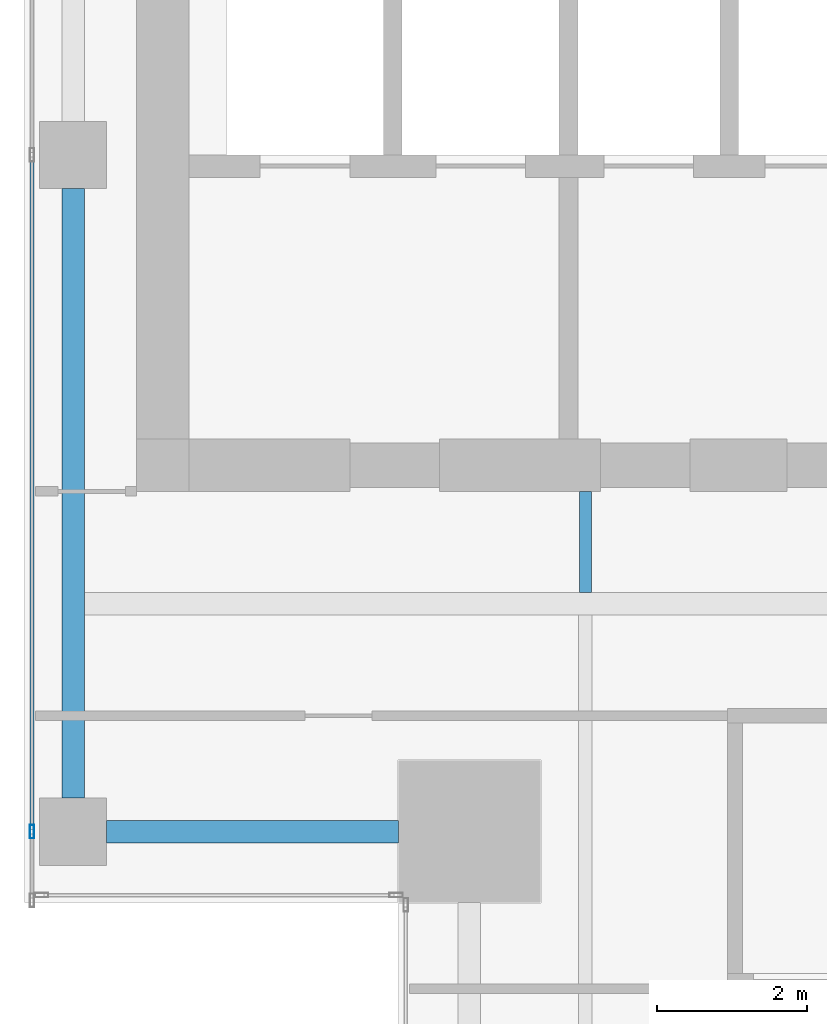
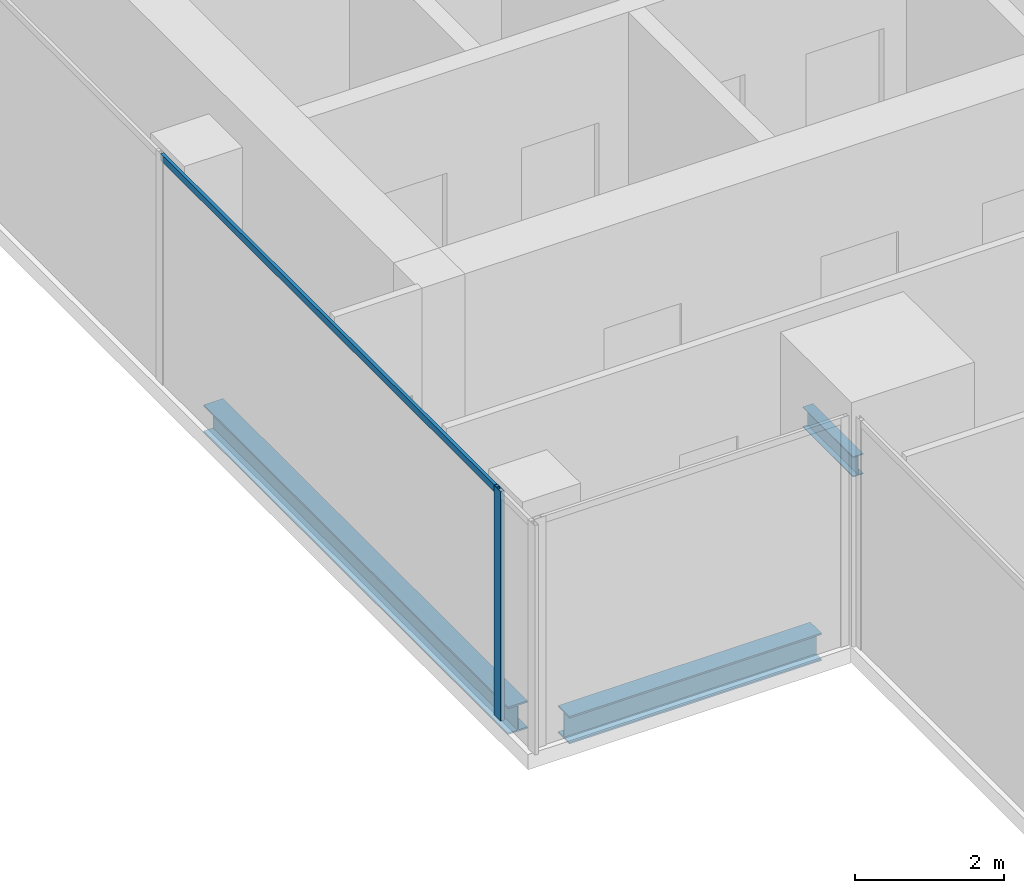
# One storey, part 4 of 36: 3 beams, 2 members, 1 element without a shape of its own.
"""IFC4 building model written with IfcOpenShell, lengths in metres."""

from ifc_helpers import new_model, si_unit, direction, frame, origin, origin_2d, place, context, subcontext, project, spatial, hollow_rectangle, i_section, extrude, source, transform, mapped, material, material_profile, profile_set, type_object, element, aggregate, save


model = new_model("IFC4")

# Units and contexts
model_context = context("Model", 3, precision=1e-05, world=origin(), true_north=direction((0.0, 1.0)))
body_context = subcontext(model_context, "Body", "Model", "MODEL_VIEW")
ifc_project = project(units=[si_unit("LENGTHUNIT", "METRE"), si_unit("AREAUNIT", "SQUARE_METRE"), si_unit("VOLUMEUNIT", "CUBIC_METRE"), si_unit("PLANEANGLEUNIT", "RADIAN"), si_unit("MASSUNIT", "GRAM", prefix="KILO")], contexts=[model_context])

# Site, building, storey
site_placement = place(None, origin())
site = spatial("IfcSite", under=ifc_project, at=site_placement, CompositionType="ELEMENT")
building_placement = place(site_placement, origin())
building = spatial("IfcBuilding", under=site, at=building_placement, Name="Khomas Fold Tower", CompositionType="ELEMENT")
storey_placement = place(building_placement, frame((0.0, 0.0, 238.199951171875)))
storey = spatial("IfcBuildingStorey", under=building, at=storey_placement, Name="L53", CompositionType="ELEMENT", Elevation=238.199951171875)

# Beams
ifc_material_1 = material(Name="Steel S355", Category="steel")
ifc_material_profile_1 = material_profile(ifc_material_1, i_section(OverallWidth=0.159912109375, OverallDepth=0.330078125, WebThickness=0.007568359375, FlangeThickness=0.011474609375, at=origin_2d()), Name="IPE 330")
ifc_profile_set_1 = profile_set([ifc_material_profile_1], Name="Steel S355")
beam_type_1 = type_object("IfcBeamType", Name="IPE 330 beam JB1", PredefinedType="BEAM", material=ifc_profile_set_1)
shared_shape_1 = source(origin(), body_context, "Body", "SweptSolid", [
    extrude(i_section(OverallWidth=0.159912109375, OverallDepth=0.330078125, WebThickness=0.007568359375, FlangeThickness=0.011474609375, at=origin_2d()), origin(), (0.0, 0.0, 1.0), 1.35009765625),
])
beam_1_placement = place(storey_placement, frame((12.0, 13.64990234375, -0.4150390625), z_axis=(0.0, 1.0, 0.0), x_axis=(-1.0, 0.0, 0.0)))
element("IfcBeam", 1, at=beam_1_placement, inside=storey, type_object=beam_type_1, Name="JB1", PredefinedType="BEAM", context=body_context, shape_type="MappedRepresentation", body=[
    mapped(shared_shape_1, transform((0.0, 0.0, 0.0))),
])
ifc_material_2 = material(Name="Steel S355", Category="steel")
ifc_material_profile_2 = material_profile(ifc_material_2, i_section(OverallWidth=0.300048828125, OverallDepth=0.449951171875, WebThickness=0.013916015625, FlangeThickness=0.02587890625, at=origin_2d()), Name="HE 450 B")
ifc_profile_set_2 = profile_set([ifc_material_profile_2], Name="Steel S355")
beam_type_2 = type_object("IfcBeamType", Name="HE 450 B spandrel SB4", PredefinedType="SPANDREL", material=ifc_profile_set_2)
shared_shape_2 = source(origin(), body_context, "Body", "SweptSolid", [
    extrude(i_section(OverallWidth=0.300048828125, OverallDepth=0.449951171875, WebThickness=0.013916015625, FlangeThickness=0.02587890625, at=origin_2d()), origin(), (0.0, 0.0, 1.0), 8.150146484375),
])
beam_2_placement = place(storey_placement, frame((5.14990234375, 10.89990234375, -0.474853515625), z_axis=(0.0, 1.0, 0.0), x_axis=(-1.0, 0.0, 0.0)))
element("IfcBeam", 2, at=beam_2_placement, inside=storey, type_object=beam_type_2, Name="SB4", PredefinedType="SPANDREL", context=body_context, shape_type="MappedRepresentation", body=[
    mapped(shared_shape_2, transform((0.0, 0.0, 0.0))),
])
shared_shape_3 = source(origin(), body_context, "Body", "SweptSolid", [
    extrude(i_section(OverallWidth=0.300048828125, OverallDepth=0.449951171875, WebThickness=0.013916015625, FlangeThickness=0.02587890625, at=origin_2d()), origin(), (0.0, 0.0, 1.0), 3.89990234375),
])
beam_3_placement = place(storey_placement, frame((5.60009765625, 10.449951171875, -0.474853515625), z_axis=(1.0, 0.0, 0.0), x_axis=(0.0, 1.0, 0.0)))
element("IfcBeam", 3, at=beam_3_placement, inside=storey, type_object=beam_type_2, Name="SB4", PredefinedType="SPANDREL", context=body_context, shape_type="MappedRepresentation", body=[
    mapped(shared_shape_3, transform((0.0, 0.0, 0.0))),
])

# Curtain wall, members
ifc_material_3 = material(Name="Aluminium framed double glazing", Category="aluminium")
curtain_wall_type = type_object("IfcCurtainWallType", Name="SK-Unitised clear-glass wall, office floors CW2", PredefinedType="NOTDEFINED", material=ifc_material_3)
curtain_wall_placement = place(storey_placement, origin())
curtain_wall = element("IfcCurtainWall", 4, at=curtain_wall_placement, inside=storey, type_object=curtain_wall_type, Name="CW2 run L53 09-0", PredefinedType="NOTDEFINED")
ifc_material_4 = material(Name="Aluminium", Category="aluminium")
ifc_material_profile_3 = material_profile(ifc_material_4, hollow_rectangle(XDim=0.06005859375, YDim=0.179931640625, WallThickness=0.00390625, at=origin_2d()), Name="SK-Unitised clear-glass wall, office floors mullion CW2-M")
ifc_profile_set_3 = profile_set([ifc_material_profile_3], Name="Aluminium")
member_type_1 = type_object("IfcMemberType", Name="SK-Unitised clear-glass wall, office floors mullion CW2-M", PredefinedType="MULLION", material=ifc_profile_set_3)
shared_shape_4 = source(origin(), body_context, "Body", "SweptSolid", [
    extrude(hollow_rectangle(XDim=0.06005859375, YDim=0.179931640625, WallThickness=0.00390625, at=origin_2d()), origin(), (0.0, 0.0, 1.0), 3.75),
])
member_1_placement = place(storey_placement, frame((4.60009765625, 10.449951171875, 0.0), z_axis=(0.0, 0.0, 1.0), x_axis=(1.0, 0.0, 0.0)))
member_1 = element("IfcMember", 5, at=member_1_placement, type_object=member_type_1, Name="CW2 mullion 6", PredefinedType="MULLION", context=body_context, shape_type="MappedRepresentation", body=[
    mapped(shared_shape_4, transform((0.0, 0.0, 0.0))),
])
ifc_material_5 = material(Name="Aluminium", Category="aluminium")
ifc_material_profile_4 = material_profile(ifc_material_5, hollow_rectangle(XDim=0.050048828125, YDim=0.110107421875, WallThickness=0.00390625, at=origin_2d()), Name="SK-Unitised clear-glass wall, office floors transom CW2-T")
ifc_profile_set_4 = profile_set([ifc_material_profile_4], Name="Aluminium")
member_type_2 = type_object("IfcMemberType", Name="SK-Unitised clear-glass wall, office floors transom CW2-T", PredefinedType="USERDEFINED", material=ifc_profile_set_4)
shared_shape_5 = source(origin(), body_context, "Body", "SweptSolid", [
    extrude(hollow_rectangle(XDim=0.050048828125, YDim=0.110107421875, WallThickness=0.00390625, at=origin_2d()), origin(), (0.0, 0.0, 1.0), 8.989990234375),
])
member_2_placement = place(storey_placement, frame((4.60009765625, 19.469970703125, 3.695068359375), z_axis=(0.0, -1.0, 0.0), x_axis=(1.0, 0.0, 0.0)))
member_2 = element("IfcMember", 6, at=member_2_placement, type_object=member_type_2, Name="CW2 transom 5", ObjectType="TRANSOM", PredefinedType="USERDEFINED", context=body_context, shape_type="MappedRepresentation", body=[
    mapped(shared_shape_5, transform((0.0, 0.0, 0.0))),
])
aggregate(curtain_wall, [member_1, member_2])

save(model, "model.ifc")
